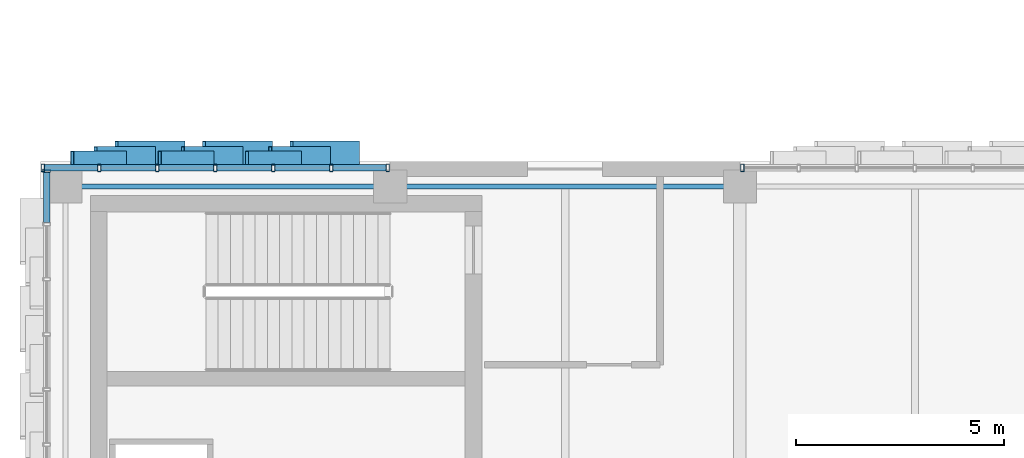
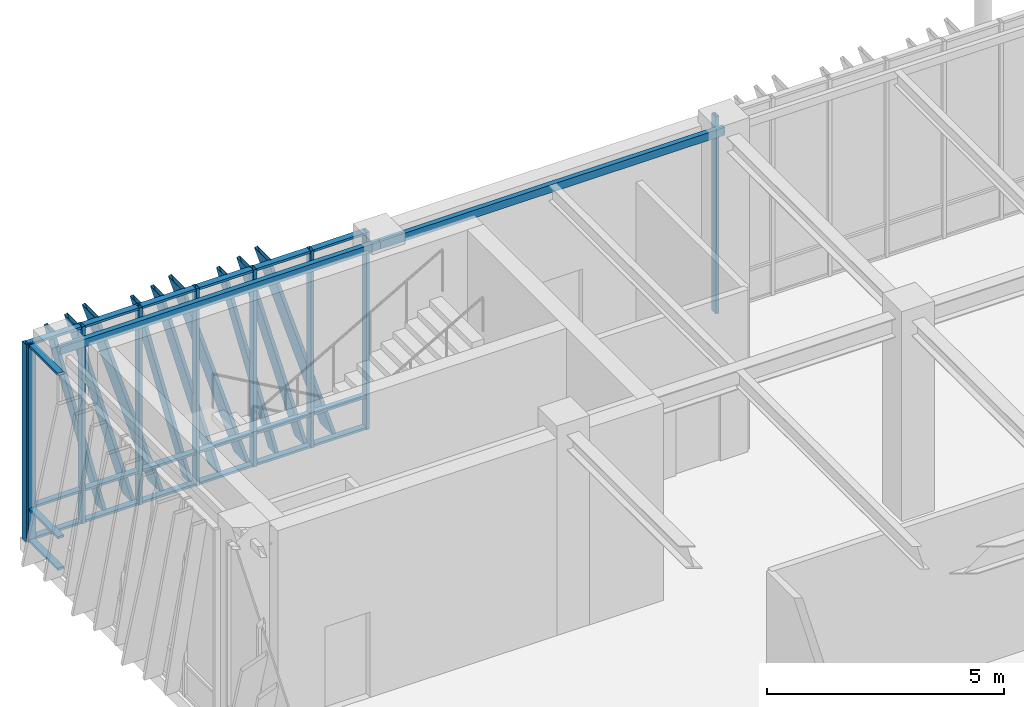
# One storey, part 44 of 122: 39 members, 2 beams, 3 elements without a shape of their own.
"""IFC4 building model written with IfcOpenShell, lengths in metres."""

from ifc_helpers import new_model, si_unit, direction, frame, origin, origin_2d, place, context, subcontext, project, spatial, hollow_rectangle, extrude, material, layer, layer_set, material_profile, profile_set, type_object, element, aggregate, save


model = new_model("IFC4")

# Units and contexts
model_context = context("Model", 3, precision=1e-05, world=origin(), true_north=direction((0.0, 1.0)))
body_context = subcontext(model_context, "Body", "Model", "MODEL_VIEW")
ifc_project = project(units=[si_unit("LENGTHUNIT", "METRE"), si_unit("AREAUNIT", "SQUARE_METRE"), si_unit("VOLUMEUNIT", "CUBIC_METRE"), si_unit("PLANEANGLEUNIT", "RADIAN"), si_unit("MASSUNIT", "GRAM", prefix="KILO")], contexts=[model_context])

# Site, building, storey
site_placement = place(None, origin())
site = spatial("IfcSite", under=ifc_project, at=site_placement, CompositionType="ELEMENT")
building_placement = place(site_placement, origin())
building = spatial("IfcBuilding", under=site, at=building_placement, Name="Zayran Congress Hotel", CompositionType="ELEMENT")
storey_placement = place(building_placement, origin())
storey = spatial("IfcBuildingStorey", under=building, at=storey_placement, Name="L00", CompositionType="ELEMENT", Elevation=0.0)

# Beams
ifc_material_1 = material(Name="Steel S355", Category="steel")
ifc_material_profile_1 = material_profile(ifc_material_1, hollow_rectangle(XDim=0.1201171875, YDim=0.199951171875, WallThickness=0.008056640625, at=origin_2d()), Name="RHS 200x120x8")
ifc_profile_set_1 = profile_set([ifc_material_profile_1], Name="Steel S355")
beam_type = type_object("IfcBeamType", Name="TP-SP-02", PredefinedType="SPANDREL", material=ifc_profile_set_1)
beam_1_placement = place(storey_placement, frame((9.0, 117.39990234375, 4.97998046875), z_axis=(1.0, 0.0, 0.0), x_axis=(0.0, 1.0, 0.0)))
element("IfcBeam", 1, at=beam_1_placement, inside=storey, type_object=beam_type, Name="BM-V1-L00-0435", PredefinedType="SPANDREL", context=body_context, shape_type="SweptSolid", body=[
    extrude(hollow_rectangle(XDim=0.1201171875, YDim=0.199951171875, WallThickness=0.008056640625, at=origin_2d()), origin(), (0.0, 0.0, 1.0), 7.800048828125),
])
beam_2_placement = place(storey_placement, frame((16.800048828125, 117.39990234375, 4.97998046875), z_axis=(1.0, 0.0, 0.0), x_axis=(0.0, 1.0, 0.0)))
element("IfcBeam", 2, at=beam_2_placement, inside=storey, type_object=beam_type, Name="BM-V1-L00-0436", PredefinedType="SPANDREL", context=body_context, shape_type="SweptSolid", body=[
    extrude(hollow_rectangle(XDim=0.1201171875, YDim=0.199951171875, WallThickness=0.008056640625, at=origin_2d()), origin(), (0.0, 0.0, 1.0), 8.39990234375),
])

# Curtain wall, members
ifc_material_2 = material(Name="Anodised aluminium and low-E insulated glass", Category="aluminium")
ifc_layer_1 = layer(ifc_material_2, 0.179931640625)
ifc_layer_set_1 = layer_set([ifc_layer_1], Name="Anodised aluminium and low-E insulated glass")
curtain_wall_type_1 = type_object("IfcCurtainWallType", Name="CW-V1N-L00-CW-21-8360-5080", PredefinedType="USERDEFINED", material=ifc_layer_set_1)
curtain_wall_1_placement = place(storey_placement, origin())
curtain_wall_1 = element("IfcCurtainWall", 3, at=curtain_wall_1_placement, inside=storey, type_object=curtain_wall_type_1, Name="CW-V1N-L00-0", ObjectType="CURTAIN WALL", PredefinedType="USERDEFINED")
ifc_material_3 = material(Name="Anodised aluminium framing", Category="aluminium")
ifc_material_profile_2 = material_profile(ifc_material_3, hollow_rectangle(XDim=0.080078125, YDim=0.179931640625, WallThickness=0.0048828125, at=origin_2d()), Name="RHS 180x80x5")
ifc_profile_set_2 = profile_set([ifc_material_profile_2], Name="Anodised aluminium framing")
member_type_1 = type_object("IfcMemberType", Name="TP-CWM-01", PredefinedType="MULLION", material=ifc_profile_set_2)
member_1_placement = place(storey_placement, frame((16.739990234375, 117.85009765625, 0.0), z_axis=(0.0, 0.0, 1.0), x_axis=(1.0, 0.0, 0.0)))
member_1 = element("IfcMember", 4, at=member_1_placement, type_object=member_type_1, Name="CW-V1N-L00-0-M00", PredefinedType="MULLION", context=body_context, shape_type="SweptSolid", body=[
    extrude(hollow_rectangle(XDim=0.080078125, YDim=0.179931640625, WallThickness=0.0048828125, at=origin_2d()), origin(), (0.0, 0.0, 1.0), 5.080078125),
])
member_2_placement = place(storey_placement, frame((15.38671875, 117.85009765625, 0.0), z_axis=(0.0, 0.0, 1.0), x_axis=(1.0, 0.0, 0.0)))
member_2 = element("IfcMember", 5, at=member_2_placement, type_object=member_type_1, Name="CW-V1N-L00-0-M01", PredefinedType="MULLION", context=body_context, shape_type="SweptSolid", body=[
    extrude(hollow_rectangle(XDim=0.080078125, YDim=0.179931640625, WallThickness=0.0048828125, at=origin_2d()), origin(), (0.0, 0.0, 1.0), 5.080078125),
])
member_3_placement = place(storey_placement, frame((13.993408203125, 117.85009765625, 0.0), z_axis=(0.0, 0.0, 1.0), x_axis=(1.0, 0.0, 0.0)))
member_3 = element("IfcMember", 6, at=member_3_placement, type_object=member_type_1, Name="CW-V1N-L00-0-M02", PredefinedType="MULLION", context=body_context, shape_type="SweptSolid", body=[
    extrude(hollow_rectangle(XDim=0.080078125, YDim=0.179931640625, WallThickness=0.0048828125, at=origin_2d()), origin(), (0.0, 0.0, 1.0), 5.080078125),
])
member_4_placement = place(storey_placement, frame((12.60009765625, 117.85009765625, 0.0), z_axis=(0.0, 0.0, 1.0), x_axis=(1.0, 0.0, 0.0)))
member_4 = element("IfcMember", 7, at=member_4_placement, type_object=member_type_1, Name="CW-V1N-L00-0-M03", PredefinedType="MULLION", context=body_context, shape_type="SweptSolid", body=[
    extrude(hollow_rectangle(XDim=0.080078125, YDim=0.179931640625, WallThickness=0.0048828125, at=origin_2d()), origin(), (0.0, 0.0, 1.0), 5.080078125),
])
member_5_placement = place(storey_placement, frame((11.206787109375, 117.85009765625, 0.0), z_axis=(0.0, 0.0, 1.0), x_axis=(1.0, 0.0, 0.0)))
member_5 = element("IfcMember", 8, at=member_5_placement, type_object=member_type_1, Name="CW-V1N-L00-0-M04", PredefinedType="MULLION", context=body_context, shape_type="SweptSolid", body=[
    extrude(hollow_rectangle(XDim=0.080078125, YDim=0.179931640625, WallThickness=0.0048828125, at=origin_2d()), origin(), (0.0, 0.0, 1.0), 5.080078125),
])
member_6_placement = place(storey_placement, frame((9.813232421875, 117.85009765625, 0.0), z_axis=(0.0, 0.0, 1.0), x_axis=(1.0, 0.0, 0.0)))
member_6 = element("IfcMember", 9, at=member_6_placement, type_object=member_type_1, Name="CW-V1N-L00-0-M05", PredefinedType="MULLION", context=body_context, shape_type="SweptSolid", body=[
    extrude(hollow_rectangle(XDim=0.080078125, YDim=0.179931640625, WallThickness=0.0048828125, at=origin_2d()), origin(), (0.0, 0.0, 1.0), 5.080078125),
])
member_7_placement = place(storey_placement, frame((8.4599609375, 117.85009765625, 0.0), z_axis=(0.0, 0.0, 1.0), x_axis=(1.0, 0.0, 0.0)))
member_7 = element("IfcMember", 10, at=member_7_placement, type_object=member_type_1, Name="CW-V1N-L00-0-M06", PredefinedType="MULLION", context=body_context, shape_type="SweptSolid", body=[
    extrude(hollow_rectangle(XDim=0.080078125, YDim=0.179931640625, WallThickness=0.0048828125, at=origin_2d()), origin(), (0.0, 0.0, 1.0), 5.080078125),
])

# Curtain wall, member
ifc_layer_2 = layer(ifc_material_2, 0.179931640625)
ifc_layer_set_2 = layer_set([ifc_layer_2], Name="Anodised aluminium and low-E insulated glass")
curtain_wall_type_2 = type_object("IfcCurtainWallType", Name="CW-V1N-L00-CW-23-8360-5080", PredefinedType="USERDEFINED", material=ifc_layer_set_2)
curtain_wall_2_placement = place(storey_placement, origin())
curtain_wall_2 = element("IfcCurtainWall", 11, at=curtain_wall_2_placement, inside=storey, type_object=curtain_wall_type_2, Name="CW-V1N-L00-2", ObjectType="CURTAIN WALL", PredefinedType="USERDEFINED")
member_8_placement = place(storey_placement, frame((25.260009765625, 117.85009765625, 0.0), z_axis=(0.0, 0.0, 1.0), x_axis=(1.0, 0.0, 0.0)))
member_8 = element("IfcMember", 12, at=member_8_placement, type_object=member_type_1, Name="CW-V1N-L00-2-M06", PredefinedType="MULLION", context=body_context, shape_type="SweptSolid", body=[
    extrude(hollow_rectangle(XDim=0.080078125, YDim=0.179931640625, WallThickness=0.0048828125, at=origin_2d()), origin(), (0.0, 0.0, 1.0), 5.080078125),
])
aggregate(curtain_wall_2, [member_8])

ifc_layer_3 = layer(ifc_material_2, 0.179931640625)
ifc_layer_set_3 = layer_set([ifc_layer_3], Name="Anodised aluminium and low-E insulated glass")
curtain_wall_type_3 = type_object("IfcCurtainWallType", Name="CW-V1W-L00-CW-32-7940-5080", PredefinedType="USERDEFINED", material=ifc_layer_set_3)
curtain_wall_3_placement = place(storey_placement, origin())
curtain_wall_3 = element("IfcCurtainWall", 13, at=curtain_wall_3_placement, inside=storey, type_object=curtain_wall_type_3, Name="CW-V1W-L00-5", ObjectType="CURTAIN WALL", PredefinedType="USERDEFINED")
member_9_placement = place(storey_placement, frame((8.550048828125, 117.780029296875, 0.0), z_axis=(0.0, 0.0, 1.0), x_axis=(0.0, 1.0, 0.0)))
member_9 = element("IfcMember", 14, at=member_9_placement, type_object=member_type_1, Name="CW-V1W-L00-5-M00", PredefinedType="MULLION", context=body_context, shape_type="SweptSolid", body=[
    extrude(hollow_rectangle(XDim=0.080078125, YDim=0.179931640625, WallThickness=0.0048828125, at=origin_2d()), origin(), (0.0, 0.0, 1.0), 5.080078125),
])

# Member
ifc_material_profile_3 = material_profile(ifc_material_3, hollow_rectangle(XDim=0.06005859375, YDim=0.14990234375, WallThickness=0.00390625, at=origin_2d()), Name="RHS 150x60x4")
ifc_profile_set_3 = profile_set([ifc_material_profile_3], Name="Anodised aluminium framing")
member_type_2 = type_object("IfcMemberType", Name="TP-CWT-01", PredefinedType="USERDEFINED", material=ifc_profile_set_3)
member_10_placement = place(storey_placement, frame((16.699951171875, 117.85009765625, 0.030029296875), z_axis=(-1.0, 0.0, 0.0), x_axis=(0.0, 0.0, 1.0)))
member_10 = element("IfcMember", 15, at=member_10_placement, type_object=member_type_2, Name="CW-V1N-L00-0-T00-0", ObjectType="TRANSOM", PredefinedType="USERDEFINED", context=body_context, shape_type="SweptSolid", body=[
    extrude(hollow_rectangle(XDim=0.06005859375, YDim=0.14990234375, WallThickness=0.00390625, at=origin_2d()), origin(), (0.0, 0.0, 1.0), 1.273193359375),
])

member_11_placement = place(storey_placement, frame((16.699951171875, 117.85009765625, 0.840087890625), z_axis=(-1.0, 0.0, 0.0), x_axis=(0.0, 0.0, 1.0)))
member_11 = element("IfcMember", 16, at=member_11_placement, type_object=member_type_2, Name="CW-V1N-L00-0-T00-1", ObjectType="TRANSOM", PredefinedType="USERDEFINED", context=body_context, shape_type="SweptSolid", body=[
    extrude(hollow_rectangle(XDim=0.06005859375, YDim=0.14990234375, WallThickness=0.00390625, at=origin_2d()), origin(), (0.0, 0.0, 1.0), 1.273193359375),
])

member_12_placement = place(storey_placement, frame((16.699951171875, 117.85009765625, 5.050048828125), z_axis=(-1.0, 0.0, 0.0), x_axis=(0.0, 0.0, 1.0)))
member_12 = element("IfcMember", 17, at=member_12_placement, type_object=member_type_2, Name="CW-V1N-L00-0-T00-2", ObjectType="TRANSOM", PredefinedType="USERDEFINED", context=body_context, shape_type="SweptSolid", body=[
    extrude(hollow_rectangle(XDim=0.06005859375, YDim=0.14990234375, WallThickness=0.00390625, at=origin_2d()), origin(), (0.0, 0.0, 1.0), 1.273193359375),
])

member_13_placement = place(storey_placement, frame((15.3466796875, 117.85009765625, 0.030029296875), z_axis=(-1.0, 0.0, 0.0), x_axis=(0.0, 0.0, 1.0)))
member_13 = element("IfcMember", 18, at=member_13_placement, type_object=member_type_2, Name="CW-V1N-L00-0-T01-0", ObjectType="TRANSOM", PredefinedType="USERDEFINED", context=body_context, shape_type="SweptSolid", body=[
    extrude(hollow_rectangle(XDim=0.06005859375, YDim=0.14990234375, WallThickness=0.00390625, at=origin_2d()), origin(), (0.0, 0.0, 1.0), 1.3134765625),
])

member_14_placement = place(storey_placement, frame((15.3466796875, 117.85009765625, 0.840087890625), z_axis=(-1.0, 0.0, 0.0), x_axis=(0.0, 0.0, 1.0)))
member_14 = element("IfcMember", 19, at=member_14_placement, type_object=member_type_2, Name="CW-V1N-L00-0-T01-1", ObjectType="TRANSOM", PredefinedType="USERDEFINED", context=body_context, shape_type="SweptSolid", body=[
    extrude(hollow_rectangle(XDim=0.06005859375, YDim=0.14990234375, WallThickness=0.00390625, at=origin_2d()), origin(), (0.0, 0.0, 1.0), 1.3134765625),
])

member_15_placement = place(storey_placement, frame((15.3466796875, 117.85009765625, 5.050048828125), z_axis=(-1.0, 0.0, 0.0), x_axis=(0.0, 0.0, 1.0)))
member_15 = element("IfcMember", 20, at=member_15_placement, type_object=member_type_2, Name="CW-V1N-L00-0-T01-2", ObjectType="TRANSOM", PredefinedType="USERDEFINED", context=body_context, shape_type="SweptSolid", body=[
    extrude(hollow_rectangle(XDim=0.06005859375, YDim=0.14990234375, WallThickness=0.00390625, at=origin_2d()), origin(), (0.0, 0.0, 1.0), 1.3134765625),
])

member_16_placement = place(storey_placement, frame((13.953369140625, 117.85009765625, 0.030029296875), z_axis=(-1.0, 0.0, 0.0), x_axis=(0.0, 0.0, 1.0)))
member_16 = element("IfcMember", 21, at=member_16_placement, type_object=member_type_2, Name="CW-V1N-L00-0-T02-0", ObjectType="TRANSOM", PredefinedType="USERDEFINED", context=body_context, shape_type="SweptSolid", body=[
    extrude(hollow_rectangle(XDim=0.06005859375, YDim=0.14990234375, WallThickness=0.00390625, at=origin_2d()), origin(), (0.0, 0.0, 1.0), 1.3134765625),
])

member_17_placement = place(storey_placement, frame((13.953369140625, 117.85009765625, 0.840087890625), z_axis=(-1.0, 0.0, 0.0), x_axis=(0.0, 0.0, 1.0)))
member_17 = element("IfcMember", 22, at=member_17_placement, type_object=member_type_2, Name="CW-V1N-L00-0-T02-1", ObjectType="TRANSOM", PredefinedType="USERDEFINED", context=body_context, shape_type="SweptSolid", body=[
    extrude(hollow_rectangle(XDim=0.06005859375, YDim=0.14990234375, WallThickness=0.00390625, at=origin_2d()), origin(), (0.0, 0.0, 1.0), 1.3134765625),
])

member_18_placement = place(storey_placement, frame((13.953369140625, 117.85009765625, 5.050048828125), z_axis=(-1.0, 0.0, 0.0), x_axis=(0.0, 0.0, 1.0)))
member_18 = element("IfcMember", 23, at=member_18_placement, type_object=member_type_2, Name="CW-V1N-L00-0-T02-2", ObjectType="TRANSOM", PredefinedType="USERDEFINED", context=body_context, shape_type="SweptSolid", body=[
    extrude(hollow_rectangle(XDim=0.06005859375, YDim=0.14990234375, WallThickness=0.00390625, at=origin_2d()), origin(), (0.0, 0.0, 1.0), 1.3134765625),
])

member_19_placement = place(storey_placement, frame((12.56005859375, 117.85009765625, 0.030029296875), z_axis=(-1.0, 0.0, 0.0), x_axis=(0.0, 0.0, 1.0)))
member_19 = element("IfcMember", 24, at=member_19_placement, type_object=member_type_2, Name="CW-V1N-L00-0-T03-0", ObjectType="TRANSOM", PredefinedType="USERDEFINED", context=body_context, shape_type="SweptSolid", body=[
    extrude(hollow_rectangle(XDim=0.06005859375, YDim=0.14990234375, WallThickness=0.00390625, at=origin_2d()), origin(), (0.0, 0.0, 1.0), 1.3134765625),
])

member_20_placement = place(storey_placement, frame((12.56005859375, 117.85009765625, 0.840087890625), z_axis=(-1.0, 0.0, 0.0), x_axis=(0.0, 0.0, 1.0)))
member_20 = element("IfcMember", 25, at=member_20_placement, type_object=member_type_2, Name="CW-V1N-L00-0-T03-1", ObjectType="TRANSOM", PredefinedType="USERDEFINED", context=body_context, shape_type="SweptSolid", body=[
    extrude(hollow_rectangle(XDim=0.06005859375, YDim=0.14990234375, WallThickness=0.00390625, at=origin_2d()), origin(), (0.0, 0.0, 1.0), 1.3134765625),
])

member_21_placement = place(storey_placement, frame((12.56005859375, 117.85009765625, 5.050048828125), z_axis=(-1.0, 0.0, 0.0), x_axis=(0.0, 0.0, 1.0)))
member_21 = element("IfcMember", 26, at=member_21_placement, type_object=member_type_2, Name="CW-V1N-L00-0-T03-2", ObjectType="TRANSOM", PredefinedType="USERDEFINED", context=body_context, shape_type="SweptSolid", body=[
    extrude(hollow_rectangle(XDim=0.06005859375, YDim=0.14990234375, WallThickness=0.00390625, at=origin_2d()), origin(), (0.0, 0.0, 1.0), 1.3134765625),
])

member_22_placement = place(storey_placement, frame((11.166748046875, 117.85009765625, 0.030029296875), z_axis=(-1.0, 0.0, 0.0), x_axis=(0.0, 0.0, 1.0)))
member_22 = element("IfcMember", 27, at=member_22_placement, type_object=member_type_2, Name="CW-V1N-L00-0-T04-0", ObjectType="TRANSOM", PredefinedType="USERDEFINED", context=body_context, shape_type="SweptSolid", body=[
    extrude(hollow_rectangle(XDim=0.06005859375, YDim=0.14990234375, WallThickness=0.00390625, at=origin_2d()), origin(), (0.0, 0.0, 1.0), 1.3134765625),
])

member_23_placement = place(storey_placement, frame((11.166748046875, 117.85009765625, 0.840087890625), z_axis=(-1.0, 0.0, 0.0), x_axis=(0.0, 0.0, 1.0)))
member_23 = element("IfcMember", 28, at=member_23_placement, type_object=member_type_2, Name="CW-V1N-L00-0-T04-1", ObjectType="TRANSOM", PredefinedType="USERDEFINED", context=body_context, shape_type="SweptSolid", body=[
    extrude(hollow_rectangle(XDim=0.06005859375, YDim=0.14990234375, WallThickness=0.00390625, at=origin_2d()), origin(), (0.0, 0.0, 1.0), 1.3134765625),
])

member_24_placement = place(storey_placement, frame((11.166748046875, 117.85009765625, 5.050048828125), z_axis=(-1.0, 0.0, 0.0), x_axis=(0.0, 0.0, 1.0)))
member_24 = element("IfcMember", 29, at=member_24_placement, type_object=member_type_2, Name="CW-V1N-L00-0-T04-2", ObjectType="TRANSOM", PredefinedType="USERDEFINED", context=body_context, shape_type="SweptSolid", body=[
    extrude(hollow_rectangle(XDim=0.06005859375, YDim=0.14990234375, WallThickness=0.00390625, at=origin_2d()), origin(), (0.0, 0.0, 1.0), 1.3134765625),
])

member_25_placement = place(storey_placement, frame((9.773193359375, 117.85009765625, 0.030029296875), z_axis=(-1.0, 0.0, 0.0), x_axis=(0.0, 0.0, 1.0)))
member_25 = element("IfcMember", 30, at=member_25_placement, type_object=member_type_2, Name="CW-V1N-L00-0-T05-0", ObjectType="TRANSOM", PredefinedType="USERDEFINED", context=body_context, shape_type="SweptSolid", body=[
    extrude(hollow_rectangle(XDim=0.06005859375, YDim=0.14990234375, WallThickness=0.00390625, at=origin_2d()), origin(), (0.0, 0.0, 1.0), 1.273193359375),
])

member_26_placement = place(storey_placement, frame((9.773193359375, 117.85009765625, 0.840087890625), z_axis=(-1.0, 0.0, 0.0), x_axis=(0.0, 0.0, 1.0)))
member_26 = element("IfcMember", 31, at=member_26_placement, type_object=member_type_2, Name="CW-V1N-L00-0-T05-1", ObjectType="TRANSOM", PredefinedType="USERDEFINED", context=body_context, shape_type="SweptSolid", body=[
    extrude(hollow_rectangle(XDim=0.06005859375, YDim=0.14990234375, WallThickness=0.00390625, at=origin_2d()), origin(), (0.0, 0.0, 1.0), 1.273193359375),
])

member_27_placement = place(storey_placement, frame((9.773193359375, 117.85009765625, 5.050048828125), z_axis=(-1.0, 0.0, 0.0), x_axis=(0.0, 0.0, 1.0)))
member_27 = element("IfcMember", 32, at=member_27_placement, type_object=member_type_2, Name="CW-V1N-L00-0-T05-2", ObjectType="TRANSOM", PredefinedType="USERDEFINED", context=body_context, shape_type="SweptSolid", body=[
    extrude(hollow_rectangle(XDim=0.06005859375, YDim=0.14990234375, WallThickness=0.00390625, at=origin_2d()), origin(), (0.0, 0.0, 1.0), 1.273193359375),
])

member_28_placement = place(storey_placement, frame((8.550048828125, 117.739990234375, 0.030029296875), z_axis=(0.0, -1.0, 0.0), x_axis=(0.0, 0.0, 1.0)))
member_28 = element("IfcMember", 33, at=member_28_placement, type_object=member_type_2, Name="CW-V1W-L00-5-T00-0", ObjectType="TRANSOM", PredefinedType="USERDEFINED", context=body_context, shape_type="SweptSolid", body=[
    extrude(hollow_rectangle(XDim=0.06005859375, YDim=0.14990234375, WallThickness=0.00390625, at=origin_2d()), origin(), (0.0, 0.0, 1.0), 1.203369140625),
])

member_29_placement = place(storey_placement, frame((8.550048828125, 117.739990234375, 0.840087890625), z_axis=(0.0, -1.0, 0.0), x_axis=(0.0, 0.0, 1.0)))
member_29 = element("IfcMember", 34, at=member_29_placement, type_object=member_type_2, Name="CW-V1W-L00-5-T00-1", ObjectType="TRANSOM", PredefinedType="USERDEFINED", context=body_context, shape_type="SweptSolid", body=[
    extrude(hollow_rectangle(XDim=0.06005859375, YDim=0.14990234375, WallThickness=0.00390625, at=origin_2d()), origin(), (0.0, 0.0, 1.0), 1.203369140625),
])

member_30_placement = place(storey_placement, frame((8.550048828125, 117.739990234375, 5.050048828125), z_axis=(0.0, -1.0, 0.0), x_axis=(0.0, 0.0, 1.0)))
member_30 = element("IfcMember", 35, at=member_30_placement, type_object=member_type_2, Name="CW-V1W-L00-5-T00-2", ObjectType="TRANSOM", PredefinedType="USERDEFINED", context=body_context, shape_type="SweptSolid", body=[
    extrude(hollow_rectangle(XDim=0.06005859375, YDim=0.14990234375, WallThickness=0.00390625, at=origin_2d()), origin(), (0.0, 0.0, 1.0), 1.203369140625),
])

aggregate(curtain_wall_3, [member_9, member_28, member_29, member_30])

ifc_material_4 = material(Name="Warm bronze anodised aluminium", Category="aluminium")
ifc_material_profile_4 = material_profile(ifc_material_4, hollow_rectangle(XDim=0.080078125, YDim=0.580078125, WallThickness=0.006103515625, at=origin_2d()), Name="RHS 580x80x6")
ifc_profile_set_4 = profile_set([ifc_material_profile_4], Name="Warm bronze anodised aluminium")
member_type_3 = type_object("IfcMemberType", Name="TP-RFN-01", PredefinedType="MULLION", material=ifc_profile_set_4)
member_31_placement = place(storey_placement, frame((16.030029296875, 118.199951171875, 0.0), z_axis=(-0.300716755525, 0.0, 0.953713496259), x_axis=(0.953713496259, 0.0, 0.300716755525)))
member_31 = element("IfcMember", 36, at=member_31_placement, type_object=member_type_3, Name="Slanting Reed Mullion CW-21-01", PredefinedType="MULLION", context=body_context, shape_type="SweptSolid", body=[
    extrude(hollow_rectangle(XDim=0.080078125, YDim=0.580078125, WallThickness=0.006103515625, at=origin_2d()), origin(), (0.0, 0.0, 1.0), 5.32666015625),
])

member_32_placement = place(storey_placement, frame((13.929931640625, 118.199951171875, 0.0), z_axis=(-0.300675065474, 0.0, 0.953726640606), x_axis=(0.953726640606, 0.0, 0.300675065474)))
member_32 = element("IfcMember", 37, at=member_32_placement, type_object=member_type_3, Name="Slanting Reed Mullion CW-21-04", PredefinedType="MULLION", context=body_context, shape_type="SweptSolid", body=[
    extrude(hollow_rectangle(XDim=0.080078125, YDim=0.580078125, WallThickness=0.006103515625, at=origin_2d()), origin(), (0.0, 0.0, 1.0), 5.32666015625),
])

member_33_placement = place(storey_placement, frame((11.830078125, 118.199951171875, 0.0), z_axis=(-0.300716755525, 0.0, 0.953713496259), x_axis=(0.953713496259, 0.0, 0.300716755525)))
member_33 = element("IfcMember", 38, at=member_33_placement, type_object=member_type_3, Name="Slanting Reed Mullion CW-21-07", PredefinedType="MULLION", context=body_context, shape_type="SweptSolid", body=[
    extrude(hollow_rectangle(XDim=0.080078125, YDim=0.580078125, WallThickness=0.006103515625, at=origin_2d()), origin(), (0.0, 0.0, 1.0), 5.32666015625),
])

ifc_material_profile_5 = material_profile(ifc_material_4, hollow_rectangle(XDim=0.080078125, YDim=0.449951171875, WallThickness=0.006103515625, at=origin_2d()), Name="RHS 450x80x6")
ifc_profile_set_5 = profile_set([ifc_material_profile_5], Name="Warm bronze anodised aluminium")
member_type_4 = type_object("IfcMemberType", Name="TP-RFN-02", PredefinedType="MULLION", material=ifc_profile_set_5)
member_34_placement = place(storey_placement, frame((15.330078125, 118.135009765625, 0.0), z_axis=(-0.267256905477, 0.0, 0.96362531436), x_axis=(0.96362531436, 0.0, 0.267256905477)))
member_34 = element("IfcMember", 39, at=member_34_placement, type_object=member_type_4, Name="Slanting Reed Mullion CW-21-02", PredefinedType="MULLION", context=body_context, shape_type="SweptSolid", body=[
    extrude(hollow_rectangle(XDim=0.080078125, YDim=0.449951171875, WallThickness=0.006103515625, at=origin_2d()), origin(), (0.0, 0.0, 1.0), 5.271728515625),
])

member_35_placement = place(storey_placement, frame((13.22998046875, 118.135009765625, 0.0), z_axis=(-0.267213902124, 0.0, 0.963637240102), x_axis=(0.963637240102, 0.0, 0.267213902124)))
member_35 = element("IfcMember", 40, at=member_35_placement, type_object=member_type_4, Name="Slanting Reed Mullion CW-21-05", PredefinedType="MULLION", context=body_context, shape_type="SweptSolid", body=[
    extrude(hollow_rectangle(XDim=0.080078125, YDim=0.449951171875, WallThickness=0.006103515625, at=origin_2d()), origin(), (0.0, 0.0, 1.0), 5.271728515625),
])

member_36_placement = place(storey_placement, frame((11.1298828125, 118.135009765625, 0.0), z_axis=(-0.267213902124, 0.0, 0.963637240102), x_axis=(0.963637240102, 0.0, 0.267213902124)))
member_36 = element("IfcMember", 41, at=member_36_placement, type_object=member_type_4, Name="Slanting Reed Mullion CW-21-08", PredefinedType="MULLION", context=body_context, shape_type="SweptSolid", body=[
    extrude(hollow_rectangle(XDim=0.080078125, YDim=0.449951171875, WallThickness=0.006103515625, at=origin_2d()), origin(), (0.0, 0.0, 1.0), 5.271728515625),
])

ifc_material_profile_6 = material_profile(ifc_material_4, hollow_rectangle(XDim=0.080078125, YDim=0.340087890625, WallThickness=0.006103515625, at=origin_2d()), Name="RHS 340x80x6")
ifc_profile_set_6 = profile_set([ifc_material_profile_6], Name="Warm bronze anodised aluminium")
member_type_5 = type_object("IfcMemberType", Name="TP-RFN-03", PredefinedType="MULLION", material=ifc_profile_set_6)
member_37_placement = place(storey_placement, frame((14.6298828125, 118.080078125, 0.0), z_axis=(-0.241921145618, 0.0, 0.970295913267), x_axis=(0.970295913267, 0.0, 0.241921145618)))
member_37 = element("IfcMember", 42, at=member_37_placement, type_object=member_type_5, Name="Slanting Reed Mullion CW-21-03", PredefinedType="MULLION", context=body_context, shape_type="SweptSolid", body=[
    extrude(hollow_rectangle(XDim=0.080078125, YDim=0.340087890625, WallThickness=0.006103515625, at=origin_2d()), origin(), (0.0, 0.0, 1.0), 5.235595703125),
])

member_38_placement = place(storey_placement, frame((12.530029296875, 118.080078125, 0.0), z_axis=(-0.241921145618, 0.0, 0.970295913267), x_axis=(0.970295913267, 0.0, 0.241921145618)))
member_38 = element("IfcMember", 43, at=member_38_placement, type_object=member_type_5, Name="Slanting Reed Mullion CW-21-06", PredefinedType="MULLION", context=body_context, shape_type="SweptSolid", body=[
    extrude(hollow_rectangle(XDim=0.080078125, YDim=0.340087890625, WallThickness=0.006103515625, at=origin_2d()), origin(), (0.0, 0.0, 1.0), 5.235595703125),
])

member_39_placement = place(storey_placement, frame((10.429931640625, 118.080078125, 0.0), z_axis=(-0.241921145618, 0.0, 0.970295913267), x_axis=(0.970295913267, 0.0, 0.241921145618)))
member_39 = element("IfcMember", 44, at=member_39_placement, type_object=member_type_5, Name="Slanting Reed Mullion CW-21-09", PredefinedType="MULLION", context=body_context, shape_type="SweptSolid", body=[
    extrude(hollow_rectangle(XDim=0.080078125, YDim=0.340087890625, WallThickness=0.006103515625, at=origin_2d()), origin(), (0.0, 0.0, 1.0), 5.235595703125),
])

aggregate(curtain_wall_1, [member_1, member_2, member_3, member_4, member_5, member_6, member_7, member_10, member_11, member_12, member_13, member_14, member_15, member_16, member_17, member_18, member_19, member_20, member_21, member_22, member_23, member_24, member_25, member_26, member_27, member_31, member_34, member_37, member_32, member_35, member_38, member_33, member_36, member_39])

save(model, "model.ifc")
